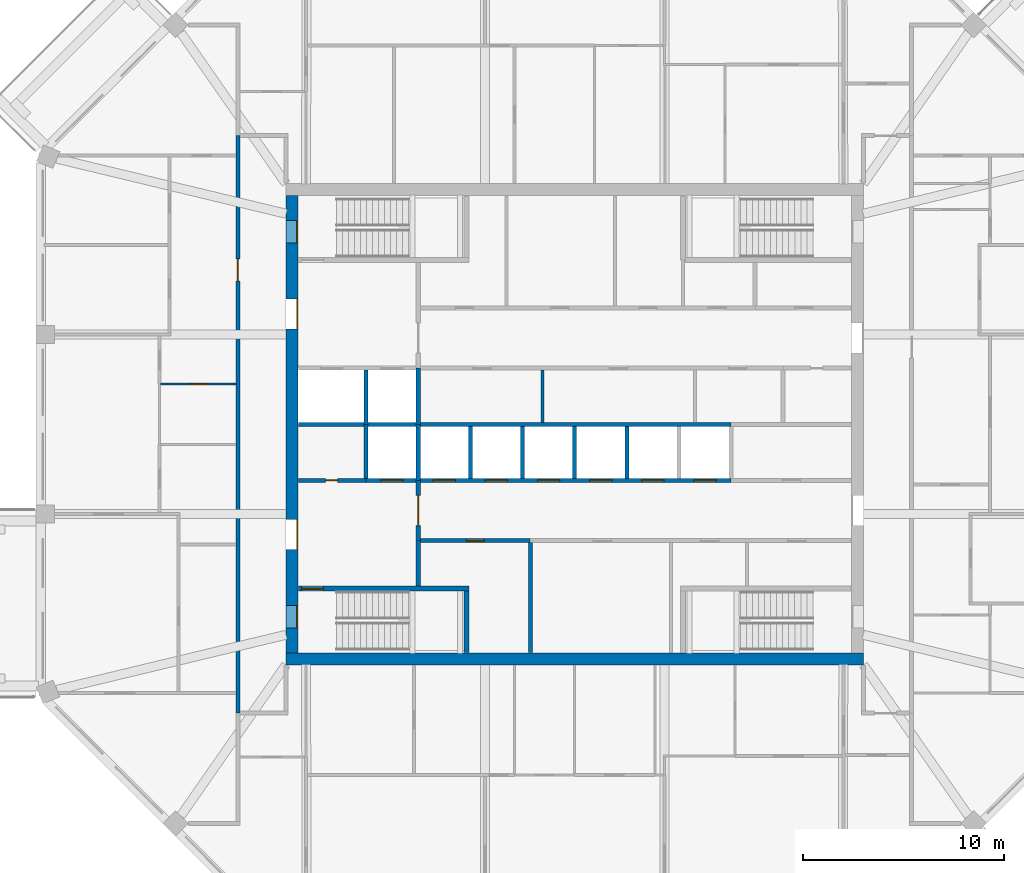
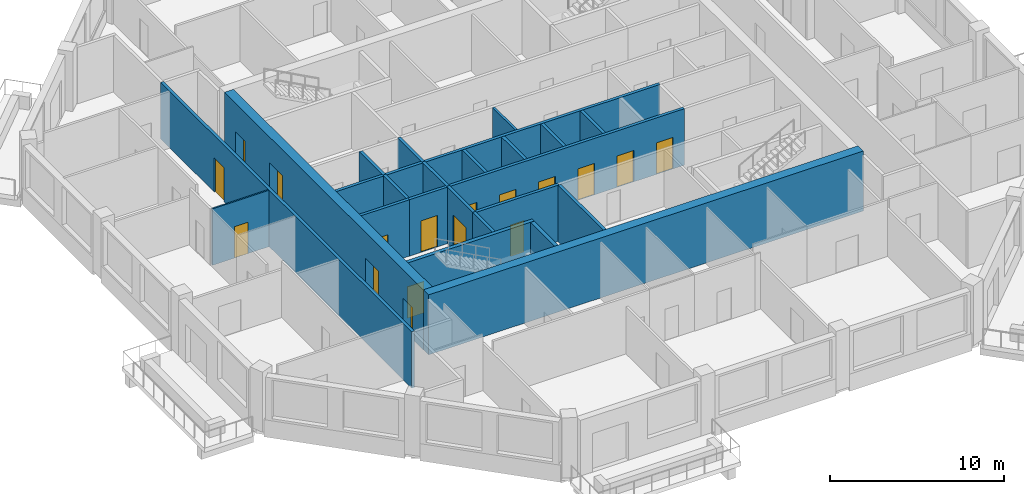
# One storey, part 4 of 11: 22 walls, 17 doors, 17 openings.
"""IFC4 building model written with IfcOpenShell, lengths in metres."""

from ifc_helpers import new_model, si_unit, direction, frame, frame_2d, origin, place, context, subcontext, project, spatial, rectangle, extrude, material, layer, layer_set, type_object, element, fill, save


model = new_model("IFC4")

# Units and contexts
model_context = context("Model", 3, precision=1e-05, world=origin(), true_north=direction((0.0, 1.0)))
body_context = subcontext(model_context, "Body", "Model", "MODEL_VIEW")
ifc_project = project(units=[si_unit("LENGTHUNIT", "METRE"), si_unit("AREAUNIT", "SQUARE_METRE"), si_unit("VOLUMEUNIT", "CUBIC_METRE"), si_unit("PLANEANGLEUNIT", "RADIAN"), si_unit("MASSUNIT", "GRAM", prefix="KILO")], contexts=[model_context])

# Site, building, storey
site_placement = place(None, origin())
site = spatial("IfcSite", under=ifc_project, at=site_placement, CompositionType="ELEMENT")
building_placement = place(site_placement, origin())
building = spatial("IfcBuilding", under=site, at=building_placement, Name="Msitu Wima Residences", CompositionType="ELEMENT")
storey_placement = place(building_placement, frame((0.0, 0.0, 297.89990234375)))
storey = spatial("IfcBuildingStorey", under=building, at=storey_placement, Name="L69", CompositionType="ELEMENT", Elevation=297.89990234375)

# Wall
ifc_material_1 = material(Name="Concrete C50/60", Category="concrete")
ifc_layer_1 = layer(ifc_material_1, 0.60009765625)
ifc_layer_set_1 = layer_set([ifc_layer_1], Name="Concrete C50/60")
wall_type_1 = type_object("IfcWallType", Name="Core wall CW600 C50/60", PredefinedType="SHEAR", material=ifc_layer_set_1)
wall_1_placement = place(storey_placement, frame((-14.39990234375, -11.699951171875, 0.0), z_axis=(0.0, 0.0, 1.0), x_axis=(1.0, 0.0, 0.0)))
element("IfcWall", 1, at=wall_1_placement, inside=storey, type_object=wall_type_1, Name="Core wall", PredefinedType="SHEAR", context=body_context, shape_type="SweptSolid", body=[
    extrude(rectangle(XDim=28.7998046875, YDim=0.60009765625, at=frame_2d((14.39990234375, 0.0))), origin(), (0.0, 0.0, 1.0), 4.2001953125),
])

# Wall, openings, doors
wall_2_placement = place(storey_placement, frame((-14.10009765625, -11.39990234375, 0.0), z_axis=(0.0, 0.0, 1.0), x_axis=(0.0, 1.0, 0.0)))
wall_2 = element("IfcWall", 2, at=wall_2_placement, inside=storey, type_object=wall_type_1, Name="Core wall", PredefinedType="SHEAR", context=body_context, shape_type="SweptSolid", body=[
    extrude(rectangle(XDim=22.7998046875, YDim=0.60009765625, at=frame_2d((11.39990234375, 0.0))), origin(), (0.0, 0.0, 1.0), 4.2001953125),
])
opening_1_placement = place(wall_2_placement, frame((20.449951171875, 0.0, 0.0)))
opening_1 = element("IfcOpeningElement", 3, at=opening_1_placement, cuts=wall_2, Name="Opening D68-70.078", PredefinedType="OPENING", context=body_context, shape_type="SweptSolid", body=[
    extrude(rectangle(XDim=1.10009765625, YDim=2.199951171875, at=frame_2d((0.550048828125, 1.10009765625))), frame((0.0, 0.31005859375, 0.0), z_axis=(0.0, -1.0, 0.0), x_axis=(1.0, 0.0, 0.0)), (0.0, 0.0, 1.0), 0.6201171875),
])
opening_2_placement = place(wall_2_placement, frame((1.25, 0.0, 0.0)))
opening_2 = element("IfcOpeningElement", 4, at=opening_2_placement, cuts=wall_2, Name="Opening D68-70.080", PredefinedType="OPENING", context=body_context, shape_type="SweptSolid", body=[
    extrude(rectangle(XDim=1.10009765625, YDim=2.199951171875, at=frame_2d((0.550048828125, 1.10009765625))), frame((0.0, 0.31005859375, 0.0), z_axis=(0.0, -1.0, 0.0), x_axis=(1.0, 0.0, 0.0)), (0.0, 0.0, 1.0), 0.6201171875),
])
opening_3_placement = place(wall_2_placement, frame((16.14990234375, 0.0, 0.0)))
opening_3 = element("IfcOpeningElement", 5, at=opening_3_placement, cuts=wall_2, Name="Opening D68-70.058", PredefinedType="OPENING", context=body_context, shape_type="SweptSolid", body=[
    extrude(rectangle(XDim=1.5, YDim=2.39990234375, at=frame_2d((0.75, 1.199951171875))), frame((0.0, 0.31005859375, 0.0), z_axis=(0.0, -1.0, 0.0), x_axis=(1.0, 0.0, 0.0)), (0.0, 0.0, 1.0), 0.6201171875),
])
opening_4_placement = place(wall_2_placement, frame((5.14990234375, 0.0, 0.0)))
opening_4 = element("IfcOpeningElement", 6, at=opening_4_placement, cuts=wall_2, Name="Opening D68-70.060", PredefinedType="OPENING", context=body_context, shape_type="SweptSolid", body=[
    extrude(rectangle(XDim=1.5, YDim=2.39990234375, at=frame_2d((0.75, 1.199951171875))), frame((0.0, 0.31005859375, 0.0), z_axis=(0.0, -1.0, 0.0), x_axis=(1.0, 0.0, 0.0)), (0.0, 0.0, 1.0), 0.6201171875),
])
ifc_material_2 = material(Name="Steel framed glazed door, fire resisting", Category="steel")
door_type_1 = type_object("IfcDoorType", Name="Lobby door D07 1500x2400", OperationType="DOUBLE_DOOR_SINGLE_SWING", PredefinedType="DOOR", material=ifc_material_2)
door_1_placement = place(opening_3_placement, origin())
door_1 = element("IfcDoor", 7, at=door_1_placement, inside=storey, type_object=door_type_1, Name="Lobby door", OperationType="DOUBLE_DOOR_SINGLE_SWING", OverallHeight=2.39990234375, OverallWidth=1.5, PredefinedType="DOOR", context=body_context, shape_type="SweptSolid", body=[
    extrude(rectangle(XDim=1.5, YDim=2.39990234375, at=frame_2d((0.75, 1.199951171875))), frame((0.0, -0.2451171875, 0.0), z_axis=(0.0, -1.0, 0.0), x_axis=(1.0, 0.0, 0.0)), (0.0, 0.0, 1.0), 0.050048828125),
])
fill(opening_3, door_1)
door_2_placement = place(opening_4_placement, origin())
door_2 = element("IfcDoor", 8, at=door_2_placement, inside=storey, type_object=door_type_1, Name="Lobby door", OperationType="DOUBLE_DOOR_SINGLE_SWING", OverallHeight=2.39990234375, OverallWidth=1.5, PredefinedType="DOOR", context=body_context, shape_type="SweptSolid", body=[
    extrude(rectangle(XDim=1.5, YDim=2.39990234375, at=frame_2d((0.75, 1.199951171875))), frame((0.0, -0.2451171875, 0.0), z_axis=(0.0, -1.0, 0.0), x_axis=(1.0, 0.0, 0.0)), (0.0, 0.0, 1.0), 0.050048828125),
])
fill(opening_4, door_2)
ifc_material_3 = material(Name="Steel door, fire resisting, panic bar", Category="steel")
door_type_2 = type_object("IfcDoorType", Name="Stair door D06 1100x2200", OperationType="SINGLE_SWING_LEFT", PredefinedType="DOOR", material=ifc_material_3)
door_3_placement = place(opening_1_placement, origin())
door_3 = element("IfcDoor", 9, at=door_3_placement, inside=storey, type_object=door_type_2, Name="Stair door", OperationType="SINGLE_SWING_RIGHT", OverallHeight=2.199951171875, OverallWidth=1.10009765625, PredefinedType="DOOR", context=body_context, shape_type="SweptSolid", body=[
    extrude(rectangle(XDim=1.10009765625, YDim=2.199951171875, at=frame_2d((0.550048828125, 1.10009765625))), frame((0.0, -0.2451171875, 0.0), z_axis=(0.0, -1.0, 0.0), x_axis=(1.0, 0.0, 0.0)), (0.0, 0.0, 1.0), 0.050048828125),
])
fill(opening_1, door_3)
door_4_placement = place(opening_2_placement, origin())
door_4 = element("IfcDoor", 10, at=door_4_placement, inside=storey, type_object=door_type_2, Name="Stair door", OperationType="SINGLE_SWING_LEFT", OverallHeight=2.199951171875, OverallWidth=1.10009765625, PredefinedType="DOOR", context=body_context, shape_type="SweptSolid", body=[
    extrude(rectangle(XDim=1.10009765625, YDim=2.199951171875, at=frame_2d((0.550048828125, 1.10009765625))), frame((0.0, -0.2451171875, 0.0), z_axis=(0.0, -1.0, 0.0), x_axis=(1.0, 0.0, 0.0)), (0.0, 0.0, 1.0), 0.050048828125),
])
fill(opening_2, door_4)

# Wall, opening, door
ifc_material_4 = material(Name="Plaster")
ifc_layer_2 = layer(ifc_material_4, 0.011962890625, Name="Plaster")
ifc_material_5 = material(Name="Concrete blockwork", Category="masonry")
ifc_layer_3 = layer(ifc_material_5, 0.176025390625, Name="Concrete blockwork")
ifc_layer_4 = layer(ifc_material_4, 0.011962890625, Name="Plaster")
ifc_layer_set_2 = layer_set([ifc_layer_2, ifc_layer_3, ifc_layer_4], Name="Concrete blockwork")
wall_type_2 = type_object("IfcWallType", Name="Corridor wall FW200", PredefinedType="PARTITIONING", material=ifc_layer_set_2)
wall_3_placement = place(storey_placement, frame((-16.800048828125, -14.39990234375, 0.0), z_axis=(0.0, 0.0, 1.0), x_axis=(0.0, 1.0, 0.0)))
wall_3 = element("IfcWall", 11, at=wall_3_placement, inside=storey, type_object=wall_type_2, Name="Corridor wall", PredefinedType="PARTITIONING", context=body_context, shape_type="SweptSolid", body=[
    extrude(rectangle(XDim=28.7998046875, YDim=0.199951171875, at=frame_2d((14.39990234375, 0.0))), origin(), (0.0, 0.0, 1.0), 3.9501953125),
])
opening_5_placement = place(wall_3_placement, frame((21.550048828125, 0.0, 0.0)))
opening_5 = element("IfcOpeningElement", 12, at=opening_5_placement, cuts=wall_3, Name="Opening D68-70.034", PredefinedType="OPENING", context=body_context, shape_type="SweptSolid", body=[
    extrude(rectangle(XDim=1.10009765625, YDim=2.39990234375, at=frame_2d((0.550048828125, 1.199951171875))), frame((0.0, 0.10986328125, 0.0), z_axis=(0.0, -1.0, 0.0), x_axis=(1.0, 0.0, 0.0)), (0.0, 0.0, 1.0), 0.219970703125),
])
ifc_material_6 = material(Name="Timber flush door, fire resisting, self-closing", Category="wood")
door_type_3 = type_object("IfcDoorType", Name="Flat entrance door D01 1100x2400", OperationType="SINGLE_SWING_LEFT", PredefinedType="DOOR", material=ifc_material_6)
door_5_placement = place(opening_5_placement, origin())
door_5 = element("IfcDoor", 13, at=door_5_placement, inside=storey, type_object=door_type_3, Name="Flat entrance door", OperationType="SINGLE_SWING_RIGHT", OverallHeight=2.39990234375, OverallWidth=1.10009765625, PredefinedType="DOOR", context=body_context, shape_type="SweptSolid", body=[
    extrude(rectangle(XDim=1.10009765625, YDim=2.39990234375, at=frame_2d((0.550048828125, 1.199951171875))), frame((0.0, 0.02490234375, 0.0), z_axis=(0.0, -1.0, 0.0), x_axis=(1.0, 0.0, 0.0)), (0.0, 0.0, 1.0), 0.050048828125),
])
fill(opening_5, door_5)

wall_4_placement = place(storey_placement, frame((-7.800048828125, -5.800048828125, 0.0), z_axis=(0.0, 0.0, 1.0), x_axis=(0.0, 1.0, 0.0)))
wall_4 = element("IfcWall", 14, at=wall_4_placement, inside=storey, type_object=wall_type_2, Name="Corridor wall", PredefinedType="PARTITIONING", context=body_context, shape_type="SweptSolid", body=[
    extrude(rectangle(XDim=3.0, YDim=0.199951171875, at=frame_2d((1.5, 0.0))), origin(), (0.0, 0.0, 1.0), 3.9501953125),
])
opening_6_placement = place(wall_4_placement, frame((0.75, 0.0, 0.0)))
opening_6 = element("IfcOpeningElement", 15, at=opening_6_placement, cuts=wall_4, Name="Opening D68-70.061", PredefinedType="OPENING", context=body_context, shape_type="SweptSolid", body=[
    extrude(rectangle(XDim=1.5, YDim=2.39990234375, at=frame_2d((0.75, 1.199951171875))), frame((0.0, 0.10986328125, 0.0), z_axis=(0.0, -1.0, 0.0), x_axis=(1.0, 0.0, 0.0)), (0.0, 0.0, 1.0), 0.219970703125),
])
door_6_placement = place(opening_6_placement, origin())
door_6 = element("IfcDoor", 16, at=door_6_placement, inside=storey, type_object=door_type_1, Name="Lobby door", OperationType="DOUBLE_DOOR_SINGLE_SWING", OverallHeight=2.39990234375, OverallWidth=1.5, PredefinedType="DOOR", context=body_context, shape_type="SweptSolid", body=[
    extrude(rectangle(XDim=1.5, YDim=2.39990234375, at=frame_2d((0.75, 1.199951171875))), frame((0.0, 0.02490234375, 0.0), z_axis=(0.0, -1.0, 0.0), x_axis=(1.0, 0.0, 0.0)), (0.0, 0.0, 1.0), 0.050048828125),
])
fill(opening_6, door_6)

# Wall
ifc_layer_5 = layer(ifc_material_4, 0.011962890625, Name="Plaster")
ifc_layer_6 = layer(ifc_material_5, 0.1259765625, Name="Concrete blockwork")
ifc_layer_7 = layer(ifc_material_4, 0.011962890625, Name="Plaster")
ifc_layer_set_3 = layer_set([ifc_layer_5, ifc_layer_6, ifc_layer_7], Name="Concrete blockwork")
wall_type_3 = type_object("IfcWallType", Name="Partition PW150", PredefinedType="PARTITIONING", material=ifc_layer_set_3)
wall_5_placement = place(storey_placement, frame((-1.60009765625, 0.10009765625, 0.0), z_axis=(0.0, 0.0, 1.0), x_axis=(0.0, 1.0, 0.0)))
element("IfcWall", 17, at=wall_5_placement, inside=storey, type_object=wall_type_3, Name="Partition", PredefinedType="PARTITIONING", context=body_context, shape_type="SweptSolid", body=[
    extrude(rectangle(XDim=2.599853515625, YDim=0.14990234375, at=frame_2d((1.2998046875, 0.0))), origin(), (0.0, 0.0, 1.0), 3.9501953125),
])

# Wall, opening, door
ifc_layer_8 = layer(ifc_material_4, 0.011962890625, Name="Plaster")
ifc_material_7 = material(Name="Reinforced concrete blockwork", Category="masonry")
ifc_layer_9 = layer(ifc_material_7, 0.176025390625, Name="Reinforced concrete blockwork")
ifc_layer_10 = layer(ifc_material_4, 0.011962890625, Name="Plaster")
ifc_layer_set_4 = layer_set([ifc_layer_8, ifc_layer_9, ifc_layer_10], Name="Reinforced concrete blockwork")
wall_type_4 = type_object("IfcWallType", Name="Plant and riser wall PL200", PredefinedType="PARTITIONING", material=ifc_layer_set_4)
wall_6_placement = place(storey_placement, frame((-13.77001953125, -2.800048828125, 0.0), z_axis=(0.0, 0.0, 1.0), x_axis=(1.0, 0.0, 0.0)))
wall_6 = element("IfcWall", 18, at=wall_6_placement, inside=storey, type_object=wall_type_4, Name="Plant and riser wall", PredefinedType="PARTITIONING", context=body_context, shape_type="SweptSolid", body=[
    extrude(rectangle(XDim=3.3701171875, YDim=0.199951171875, at=frame_2d((1.68505859375, 0.0))), origin(), (0.0, 0.0, 1.0), 3.9501953125),
])
opening_7_placement = place(wall_6_placement, frame((1.35009765625, 0.0, 0.0)))
opening_7 = element("IfcOpeningElement", 19, at=opening_7_placement, cuts=wall_6, Name="Opening D68-70.077", PredefinedType="OPENING", context=body_context, shape_type="SweptSolid", body=[
    extrude(rectangle(XDim=0.60009765625, YDim=2.0, at=frame_2d((0.300048828125, 1.0))), frame((0.0, 0.10986328125, 0.0), z_axis=(0.0, -1.0, 0.0), x_axis=(1.0, 0.0, 0.0)), (0.0, 0.0, 1.0), 0.219970703125),
])
ifc_material_8 = material(Name="Steel access door, fire resisting", Category="steel")
door_type_4 = type_object("IfcDoorType", Name="Riser access door D08 600x2000", OperationType="SINGLE_SWING_LEFT", PredefinedType="DOOR", material=ifc_material_8)
door_7_placement = place(opening_7_placement, origin())
door_7 = element("IfcDoor", 20, at=door_7_placement, inside=storey, type_object=door_type_4, Name="Riser access door", OperationType="SINGLE_SWING_RIGHT", OverallHeight=2.0, OverallWidth=0.60009765625, PredefinedType="DOOR", context=body_context, shape_type="SweptSolid", body=[
    extrude(rectangle(XDim=0.60009765625, YDim=2.0, at=frame_2d((0.300048828125, 1.0))), frame((0.0, 0.02490234375, 0.0), z_axis=(0.0, -1.0, 0.0), x_axis=(1.0, 0.0, 0.0)), (0.0, 0.0, 1.0), 0.050048828125),
])
fill(opening_7, door_7)

# Wall
wall_7_placement = place(storey_placement, frame((-7.800048828125, -8.074951171875, 0.0), z_axis=(0.0, 0.0, 1.0), x_axis=(0.0, 1.0, 0.0)))
element("IfcWall", 21, at=wall_7_placement, inside=storey, type_object=wall_type_4, Name="Plant and riser wall", PredefinedType="PARTITIONING", context=body_context, shape_type="SweptSolid", body=[
    extrude(rectangle(XDim=2.27490234375, YDim=0.199951171875, at=frame_2d((1.137451171875, 0.0))), origin(), (0.0, 0.0, 1.0), 3.9501953125),
])

# Wall, opening, door
wall_8_placement = place(storey_placement, frame((-7.699951171875, -5.800048828125, 0.0), z_axis=(0.0, 0.0, 1.0), x_axis=(1.0, 0.0, 0.0)))
wall_8 = element("IfcWall", 22, at=wall_8_placement, inside=storey, type_object=wall_type_4, Name="Plant and riser wall", PredefinedType="PARTITIONING", context=body_context, shape_type="SweptSolid", body=[
    extrude(rectangle(XDim=5.47998046875, YDim=0.199951171875, at=frame_2d((2.739990234375, 0.0))), origin(), (0.0, 0.0, 1.0), 3.9501953125),
])
opening_8_placement = place(wall_8_placement, frame((2.300048828125, 0.0, 0.0)))
opening_8 = element("IfcOpeningElement", 23, at=opening_8_placement, cuts=wall_8, Name="Opening D68-70.067", PredefinedType="OPENING", context=body_context, shape_type="SweptSolid", body=[
    extrude(rectangle(XDim=0.89990234375, YDim=2.199951171875, at=frame_2d((0.449951171875, 1.10009765625))), frame((0.0, 0.10986328125, 0.0), z_axis=(0.0, -1.0, 0.0), x_axis=(1.0, 0.0, 0.0)), (0.0, 0.0, 1.0), 0.219970703125),
])
ifc_material_9 = material(Name="Timber flush door", Category="wood")
door_type_5 = type_object("IfcDoorType", Name="Service door D05 900x2200", OperationType="SINGLE_SWING_LEFT", PredefinedType="DOOR", material=ifc_material_9)
door_8_placement = place(opening_8_placement, origin())
door_8 = element("IfcDoor", 24, at=door_8_placement, inside=storey, type_object=door_type_5, Name="Service door", OperationType="SINGLE_SWING_LEFT", OverallHeight=2.199951171875, OverallWidth=0.89990234375, PredefinedType="DOOR", context=body_context, shape_type="SweptSolid", body=[
    extrude(rectangle(XDim=0.89990234375, YDim=2.199951171875, at=frame_2d((0.449951171875, 1.10009765625))), frame((0.0, 0.02490234375, 0.0), z_axis=(0.0, -1.0, 0.0), x_axis=(1.0, 0.0, 0.0)), (0.0, 0.0, 1.0), 0.050048828125),
])
fill(opening_8, door_8)

# Walls
wall_9_placement = place(storey_placement, frame((-2.199951171875, -11.3701171875, 0.0), z_axis=(0.0, 0.0, 1.0), x_axis=(0.0, 1.0, 0.0)))
element("IfcWall", 25, at=wall_9_placement, inside=storey, type_object=wall_type_4, Name="Plant and riser wall", PredefinedType="PARTITIONING", context=body_context, shape_type="SweptSolid", body=[
    extrude(rectangle(XDim=5.47021484375, YDim=0.199951171875, at=frame_2d((2.735107421875, 0.0))), origin(), (0.0, 0.0, 1.0), 3.9501953125),
])
ifc_material_10 = material(Name="Fire-rated board")
ifc_layer_11 = layer(ifc_material_10, 0.02490234375, Name="Fire-rated board")
ifc_material_11 = material(Name="Light-gauge stud framing with mineral wool")
ifc_layer_12 = layer(ifc_material_11, 0.14990234375, Name="Light-gauge stud framing with mineral wool")
ifc_layer_13 = layer(ifc_material_10, 0.02490234375, Name="Fire-rated board")
ifc_layer_set_5 = layer_set([ifc_layer_11, ifc_layer_12, ifc_layer_13], Name="Light-gauge stud framing with mineral wool")
wall_type_5 = type_object("IfcWallType", Name="Shaft wall SH200", PredefinedType="PARTITIONING", material=ifc_layer_set_5)
wall_10_placement = place(storey_placement, frame((-13.77001953125, 0.0, 0.0), z_axis=(0.0, 0.0, 1.0), x_axis=(1.0, 0.0, 0.0)))
element("IfcWall", 26, at=wall_10_placement, inside=storey, type_object=wall_type_5, Name="Shaft wall", PredefinedType="PARTITIONING", context=body_context, shape_type="SweptSolid", body=[
    extrude(rectangle(XDim=21.570068359375, YDim=0.199951171875, at=frame_2d((10.78515625, 0.0))), origin(), (0.0, 0.0, 1.0), 3.9501953125),
])
wall_11_placement = place(storey_placement, frame((-10.39990234375, -2.699951171875, 0.0), z_axis=(0.0, 0.0, 1.0), x_axis=(0.0, 1.0, 0.0)))
element("IfcWall", 27, at=wall_11_placement, inside=storey, type_object=wall_type_5, Name="Shaft wall", PredefinedType="PARTITIONING", context=body_context, shape_type="SweptSolid", body=[
    extrude(rectangle(XDim=2.699951171875, YDim=0.199951171875, at=frame_2d((1.35009765625, 0.0))), origin(), (0.0, 0.0, 1.0), 3.9501953125),
])

# Wall, openings, doors
wall_12_placement = place(storey_placement, frame((-10.39990234375, -2.800048828125, 0.0), z_axis=(0.0, 0.0, 1.0), x_axis=(1.0, 0.0, 0.0)))
wall_12 = element("IfcWall", 28, at=wall_12_placement, inside=storey, type_object=wall_type_5, Name="Shaft wall", PredefinedType="PARTITIONING", context=body_context, shape_type="SweptSolid", body=[
    extrude(rectangle(XDim=18.199951171875, YDim=0.199951171875, at=frame_2d((9.10009765625, 0.0))), origin(), (0.0, 0.0, 1.0), 3.9501953125),
])
opening_9_placement = place(wall_12_placement, frame((0.75, 0.0, 0.0)))
opening_9 = element("IfcOpeningElement", 29, at=opening_9_placement, cuts=wall_12, Name="Opening LD", PredefinedType="OPENING", context=body_context, shape_type="SweptSolid", body=[
    extrude(rectangle(XDim=1.10009765625, YDim=2.199951171875, at=frame_2d((0.550048828125, 1.10009765625))), frame((0.0, 0.10986328125, 0.0), z_axis=(0.0, -1.0, 0.0), x_axis=(1.0, 0.0, 0.0)), (0.0, 0.0, 1.0), 0.219970703125),
])
opening_10_placement = place(wall_12_placement, frame((3.35009765625, 0.0, 0.0)))
opening_10 = element("IfcOpeningElement", 30, at=opening_10_placement, cuts=wall_12, Name="Opening LD", PredefinedType="OPENING", context=body_context, shape_type="SweptSolid", body=[
    extrude(rectangle(XDim=1.10009765625, YDim=2.199951171875, at=frame_2d((0.550048828125, 1.10009765625))), frame((0.0, 0.10986328125, 0.0), z_axis=(0.0, -1.0, 0.0), x_axis=(1.0, 0.0, 0.0)), (0.0, 0.0, 1.0), 0.219970703125),
])
opening_11_placement = place(wall_12_placement, frame((5.949951171875, 0.0, 0.0)))
opening_11 = element("IfcOpeningElement", 31, at=opening_11_placement, cuts=wall_12, Name="Opening LD", PredefinedType="OPENING", context=body_context, shape_type="SweptSolid", body=[
    extrude(rectangle(XDim=1.10009765625, YDim=2.199951171875, at=frame_2d((0.550048828125, 1.10009765625))), frame((0.0, 0.10986328125, 0.0), z_axis=(0.0, -1.0, 0.0), x_axis=(1.0, 0.0, 0.0)), (0.0, 0.0, 1.0), 0.219970703125),
])
opening_12_placement = place(wall_12_placement, frame((8.550048828125, 0.0, 0.0)))
opening_12 = element("IfcOpeningElement", 32, at=opening_12_placement, cuts=wall_12, Name="Opening LD", PredefinedType="OPENING", context=body_context, shape_type="SweptSolid", body=[
    extrude(rectangle(XDim=1.10009765625, YDim=2.199951171875, at=frame_2d((0.550048828125, 1.10009765625))), frame((0.0, 0.10986328125, 0.0), z_axis=(0.0, -1.0, 0.0), x_axis=(1.0, 0.0, 0.0)), (0.0, 0.0, 1.0), 0.219970703125),
])
opening_13_placement = place(wall_12_placement, frame((11.14990234375, 0.0, 0.0)))
opening_13 = element("IfcOpeningElement", 33, at=opening_13_placement, cuts=wall_12, Name="Opening LD", PredefinedType="OPENING", context=body_context, shape_type="SweptSolid", body=[
    extrude(rectangle(XDim=1.10009765625, YDim=2.199951171875, at=frame_2d((0.550048828125, 1.10009765625))), frame((0.0, 0.10986328125, 0.0), z_axis=(0.0, -1.0, 0.0), x_axis=(1.0, 0.0, 0.0)), (0.0, 0.0, 1.0), 0.219970703125),
])
opening_14_placement = place(wall_12_placement, frame((13.75, 0.0, 0.0)))
opening_14 = element("IfcOpeningElement", 34, at=opening_14_placement, cuts=wall_12, Name="Opening LD", PredefinedType="OPENING", context=body_context, shape_type="SweptSolid", body=[
    extrude(rectangle(XDim=1.10009765625, YDim=2.199951171875, at=frame_2d((0.550048828125, 1.10009765625))), frame((0.0, 0.10986328125, 0.0), z_axis=(0.0, -1.0, 0.0), x_axis=(1.0, 0.0, 0.0)), (0.0, 0.0, 1.0), 0.219970703125),
])
opening_15_placement = place(wall_12_placement, frame((16.35009765625, 0.0, 0.0)))
opening_15 = element("IfcOpeningElement", 35, at=opening_15_placement, cuts=wall_12, Name="Opening LD", PredefinedType="OPENING", context=body_context, shape_type="SweptSolid", body=[
    extrude(rectangle(XDim=1.10009765625, YDim=2.199951171875, at=frame_2d((0.550048828125, 1.10009765625))), frame((0.0, 0.10986328125, 0.0), z_axis=(0.0, -1.0, 0.0), x_axis=(1.0, 0.0, 0.0)), (0.0, 0.0, 1.0), 0.219970703125),
])
ifc_material_12 = material(Name="Stainless steel centre-opening landing door, rated", Category="steel")
door_type_6 = type_object("IfcDoorType", Name="Lift landing door LD 1100x2200", OperationType="DOUBLE_DOOR_SLIDING", PredefinedType="DOOR", material=ifc_material_12)
door_9_placement = place(opening_9_placement, origin())
door_9 = element("IfcDoor", 36, at=door_9_placement, inside=storey, type_object=door_type_6, Name="Lift landing door LD3", OperationType="DOUBLE_DOOR_SLIDING", OverallHeight=2.199951171875, OverallWidth=1.10009765625, PredefinedType="DOOR", context=body_context, shape_type="SweptSolid", body=[
    extrude(rectangle(XDim=1.10009765625, YDim=2.199951171875, at=frame_2d((0.550048828125, 1.10009765625))), frame((0.0, 0.02490234375, 0.0), z_axis=(0.0, -1.0, 0.0), x_axis=(1.0, 0.0, 0.0)), (0.0, 0.0, 1.0), 0.050048828125),
])
fill(opening_9, door_9)
door_10_placement = place(opening_10_placement, origin())
door_10 = element("IfcDoor", 37, at=door_10_placement, inside=storey, type_object=door_type_6, Name="Lift landing door LD5", OperationType="DOUBLE_DOOR_SLIDING", OverallHeight=2.199951171875, OverallWidth=1.10009765625, PredefinedType="DOOR", context=body_context, shape_type="SweptSolid", body=[
    extrude(rectangle(XDim=1.10009765625, YDim=2.199951171875, at=frame_2d((0.550048828125, 1.10009765625))), frame((0.0, 0.02490234375, 0.0), z_axis=(0.0, -1.0, 0.0), x_axis=(1.0, 0.0, 0.0)), (0.0, 0.0, 1.0), 0.050048828125),
])
fill(opening_10, door_10)
door_11_placement = place(opening_11_placement, origin())
door_11 = element("IfcDoor", 38, at=door_11_placement, inside=storey, type_object=door_type_6, Name="Lift landing door LD7", OperationType="DOUBLE_DOOR_SLIDING", OverallHeight=2.199951171875, OverallWidth=1.10009765625, PredefinedType="DOOR", context=body_context, shape_type="SweptSolid", body=[
    extrude(rectangle(XDim=1.10009765625, YDim=2.199951171875, at=frame_2d((0.550048828125, 1.10009765625))), frame((0.0, 0.02490234375, 0.0), z_axis=(0.0, -1.0, 0.0), x_axis=(1.0, 0.0, 0.0)), (0.0, 0.0, 1.0), 0.050048828125),
])
fill(opening_11, door_11)
door_12_placement = place(opening_12_placement, origin())
door_12 = element("IfcDoor", 39, at=door_12_placement, inside=storey, type_object=door_type_6, Name="Lift landing door LD9", OperationType="DOUBLE_DOOR_SLIDING", OverallHeight=2.199951171875, OverallWidth=1.10009765625, PredefinedType="DOOR", context=body_context, shape_type="SweptSolid", body=[
    extrude(rectangle(XDim=1.10009765625, YDim=2.199951171875, at=frame_2d((0.550048828125, 1.10009765625))), frame((0.0, 0.02490234375, 0.0), z_axis=(0.0, -1.0, 0.0), x_axis=(1.0, 0.0, 0.0)), (0.0, 0.0, 1.0), 0.050048828125),
])
fill(opening_12, door_12)
door_13_placement = place(opening_13_placement, origin())
door_13 = element("IfcDoor", 40, at=door_13_placement, inside=storey, type_object=door_type_6, Name="Lift landing door LD11", OperationType="DOUBLE_DOOR_SLIDING", OverallHeight=2.199951171875, OverallWidth=1.10009765625, PredefinedType="DOOR", context=body_context, shape_type="SweptSolid", body=[
    extrude(rectangle(XDim=1.10009765625, YDim=2.199951171875, at=frame_2d((0.550048828125, 1.10009765625))), frame((0.0, 0.02490234375, 0.0), z_axis=(0.0, -1.0, 0.0), x_axis=(1.0, 0.0, 0.0)), (0.0, 0.0, 1.0), 0.050048828125),
])
fill(opening_13, door_13)
door_14_placement = place(opening_14_placement, origin())
door_14 = element("IfcDoor", 41, at=door_14_placement, inside=storey, type_object=door_type_6, Name="Lift landing door LD13", OperationType="DOUBLE_DOOR_SLIDING", OverallHeight=2.199951171875, OverallWidth=1.10009765625, PredefinedType="DOOR", context=body_context, shape_type="SweptSolid", body=[
    extrude(rectangle(XDim=1.10009765625, YDim=2.199951171875, at=frame_2d((0.550048828125, 1.10009765625))), frame((0.0, 0.02490234375, 0.0), z_axis=(0.0, -1.0, 0.0), x_axis=(1.0, 0.0, 0.0)), (0.0, 0.0, 1.0), 0.050048828125),
])
fill(opening_14, door_14)
door_15_placement = place(opening_15_placement, origin())
door_15 = element("IfcDoor", 42, at=door_15_placement, inside=storey, type_object=door_type_6, Name="Lift landing door LD15", OperationType="DOUBLE_DOOR_SLIDING", OverallHeight=2.199951171875, OverallWidth=1.10009765625, PredefinedType="DOOR", context=body_context, shape_type="SweptSolid", body=[
    extrude(rectangle(XDim=1.10009765625, YDim=2.199951171875, at=frame_2d((0.550048828125, 1.10009765625))), frame((0.0, 0.02490234375, 0.0), z_axis=(0.0, -1.0, 0.0), x_axis=(1.0, 0.0, 0.0)), (0.0, 0.0, 1.0), 0.050048828125),
])
fill(opening_15, door_15)

# Walls
wall_13_placement = place(storey_placement, frame((-10.39990234375, 0.0, 0.0), z_axis=(0.0, 0.0, 1.0), x_axis=(0.0, 1.0, 0.0)))
element("IfcWall", 43, at=wall_13_placement, inside=storey, type_object=wall_type_5, Name="Shaft wall", PredefinedType="PARTITIONING", context=body_context, shape_type="SweptSolid", body=[
    extrude(rectangle(XDim=2.699951171875, YDim=0.199951171875, at=frame_2d((1.35009765625, 0.0))), origin(), (0.0, 0.0, 1.0), 3.9501953125),
])
for number, where, z_axis, x_axis, name in (
    (44, (-7.800048828125, -2.800048828125, 0.0), (0.0, 0.0, 1.0), (0.0, 1.0, 0.0), "Shaft wall"),
    (45, (-7.800048828125, 0.0, 0.0), (0.0, 0.0, 1.0), (0.0, 1.0, 0.0), "Shaft wall"),
):
    element("IfcWall", number, at=place(storey_placement, frame(where, z_axis=z_axis, x_axis=x_axis)), inside=storey, type_object=wall_type_5, Name=name, PredefinedType="PARTITIONING", context=body_context, shape_type="SweptSolid", body=[
        extrude(rectangle(XDim=2.800048828125, YDim=0.199951171875, at=frame_2d((1.39990234375, 0.0))), origin(), (0.0, 0.0, 1.0), 3.9501953125),
    ])
for number, where, z_axis, x_axis, name in (
    (46, (-5.199951171875, -2.699951171875, 0.0), (0.0, 0.0, 1.0), (0.0, 1.0, 0.0), "Shaft wall"),
    (47, (-2.60009765625, -2.699951171875, 0.0), (0.0, 0.0, 1.0), (0.0, 1.0, 0.0), "Shaft wall"),
    (48, (0.0, -2.699951171875, 0.0), (0.0, 0.0, 1.0), (0.0, 1.0, 0.0), "Shaft wall"),
    (49, (2.60009765625, -2.699951171875, 0.0), (0.0, 0.0, 1.0), (0.0, 1.0, 0.0), "Shaft wall"),
):
    element("IfcWall", number, at=place(storey_placement, frame(where, z_axis=z_axis, x_axis=x_axis)), inside=storey, type_object=wall_type_5, Name=name, PredefinedType="PARTITIONING", context=body_context, shape_type="SweptSolid", body=[
        extrude(rectangle(XDim=2.599853515625, YDim=0.199951171875, at=frame_2d((1.2998046875, 0.0))), origin(), (0.0, 0.0, 1.0), 3.9501953125),
    ])

# Wall, opening, door
ifc_layer_14 = layer(ifc_material_1, 0.25)
ifc_layer_set_6 = layer_set([ifc_layer_14], Name="Concrete C50/60")
wall_type_6 = type_object("IfcWallType", Name="Stair enclosure wall SW250", PredefinedType="SHEAR", material=ifc_layer_set_6)
wall_14_placement = place(storey_placement, frame((-13.77001953125, -8.199951171875, 0.0), z_axis=(0.0, 0.0, 1.0), x_axis=(1.0, 0.0, 0.0)))
wall_14 = element("IfcWall", 50, at=wall_14_placement, inside=storey, type_object=wall_type_6, Name="Stair enclosure wall", PredefinedType="SHEAR", context=body_context, shape_type="SweptSolid", body=[
    extrude(rectangle(XDim=8.4951171875, YDim=0.25, at=frame_2d((4.24755859375, 0.0))), origin(), (0.0, 0.0, 1.0), 3.9501953125),
])
opening_16_placement = place(wall_14_placement, frame((0.14990234375, 0.0, 0.0)))
opening_16 = element("IfcOpeningElement", 51, at=opening_16_placement, cuts=wall_14, Name="Opening D68-70.081", PredefinedType="OPENING", context=body_context, shape_type="SweptSolid", body=[
    extrude(rectangle(XDim=1.10009765625, YDim=2.199951171875, at=frame_2d((0.550048828125, 1.10009765625))), frame((0.0, 0.135009765625, 0.0), z_axis=(0.0, -1.0, 0.0), x_axis=(1.0, 0.0, 0.0)), (0.0, 0.0, 1.0), 0.27001953125),
])
door_16_placement = place(opening_16_placement, origin())
door_16 = element("IfcDoor", 52, at=door_16_placement, inside=storey, type_object=door_type_2, Name="Stair door", OperationType="SINGLE_SWING_RIGHT", OverallHeight=2.199951171875, OverallWidth=1.10009765625, PredefinedType="DOOR", context=body_context, shape_type="SweptSolid", body=[
    extrude(rectangle(XDim=1.10009765625, YDim=2.199951171875, at=frame_2d((0.550048828125, 1.10009765625))), frame((0.0, 0.02490234375, 0.0), z_axis=(0.0, -1.0, 0.0), x_axis=(1.0, 0.0, 0.0)), (0.0, 0.0, 1.0), 0.050048828125),
])
fill(opening_16, door_16)

# Wall
wall_15_placement = place(storey_placement, frame((-5.39990234375, -11.3701171875, 0.0), z_axis=(0.0, 0.0, 1.0), x_axis=(0.0, 1.0, 0.0)))
element("IfcWall", 53, at=wall_15_placement, inside=storey, type_object=wall_type_6, Name="Stair enclosure wall", PredefinedType="SHEAR", context=body_context, shape_type="SweptSolid", body=[
    extrude(rectangle(XDim=3.045166015625, YDim=0.25, at=frame_2d((1.5224609375, 0.0))), origin(), (0.0, 0.0, 1.0), 3.9501953125),
])

# Wall, opening, door
ifc_material_13 = material(Name="Ceramic tiles")
ifc_layer_15 = layer(ifc_material_13, 0.008056640625, Name="Ceramic tiles")
ifc_material_14 = material(Name="Moisture-resistant board")
ifc_layer_16 = layer(ifc_material_14, 0.012451171875, Name="Moisture-resistant board")
ifc_layer_17 = layer(ifc_material_11, 0.06689453125, Name="Light-gauge stud framing with mineral wool")
ifc_layer_18 = layer(ifc_material_14, 0.012451171875, Name="Moisture-resistant board")
ifc_layer_set_7 = layer_set([ifc_layer_15, ifc_layer_16, ifc_layer_17, ifc_layer_18], Name="Light-gauge stud framing with mineral wool")
wall_type_7 = type_object("IfcWallType", Name="Wet wall PW100", PredefinedType="PARTITIONING", material=ifc_layer_set_7)
wall_16_placement = place(storey_placement, frame((-20.64990234375, 2.0, 0.0), z_axis=(0.0, 0.0, 1.0), x_axis=(1.0, 0.0, 0.0)))
wall_16 = element("IfcWall", 54, at=wall_16_placement, inside=storey, type_object=wall_type_7, Name="Wet wall", PredefinedType="PARTITIONING", context=body_context, shape_type="SweptSolid", body=[
    extrude(rectangle(XDim=3.75, YDim=0.10009765625, at=frame_2d((1.875, 0.0))), origin(), (0.0, 0.0, 1.0), 3.9501953125),
])
opening_17_placement = place(wall_16_placement, frame((1.449951171875, 0.0, 0.0)))
opening_17 = element("IfcOpeningElement", 55, at=opening_17_placement, cuts=wall_16, Name="Opening D68-70.036", PredefinedType="OPENING", context=body_context, shape_type="SweptSolid", body=[
    extrude(rectangle(XDim=0.89990234375, YDim=2.199951171875, at=frame_2d((0.449951171875, 1.10009765625))), frame((0.0, 0.06005859375, 0.0), z_axis=(0.0, -1.0, 0.0), x_axis=(1.0, 0.0, 0.0)), (0.0, 0.0, 1.0), 0.1201171875),
])
ifc_material_15 = material(Name="Timber flush door, moisture resistant", Category="wood")
door_type_7 = type_object("IfcDoorType", Name="Bathroom door D03 900x2200", OperationType="SINGLE_SWING_LEFT", PredefinedType="DOOR", material=ifc_material_15)
door_17_placement = place(opening_17_placement, origin())
door_17 = element("IfcDoor", 56, at=door_17_placement, inside=storey, type_object=door_type_7, Name="Bathroom door", OperationType="SINGLE_SWING_LEFT", OverallHeight=2.199951171875, OverallWidth=0.89990234375, PredefinedType="DOOR", context=body_context, shape_type="SweptSolid", body=[
    extrude(rectangle(XDim=0.89990234375, YDim=2.199951171875, at=frame_2d((0.449951171875, 1.10009765625))), frame((0.0, 0.02490234375, 0.0), z_axis=(0.0, -1.0, 0.0), x_axis=(1.0, 0.0, 0.0)), (0.0, 0.0, 1.0), 0.050048828125),
])
fill(opening_17, door_17)

save(model, "model.ifc")
